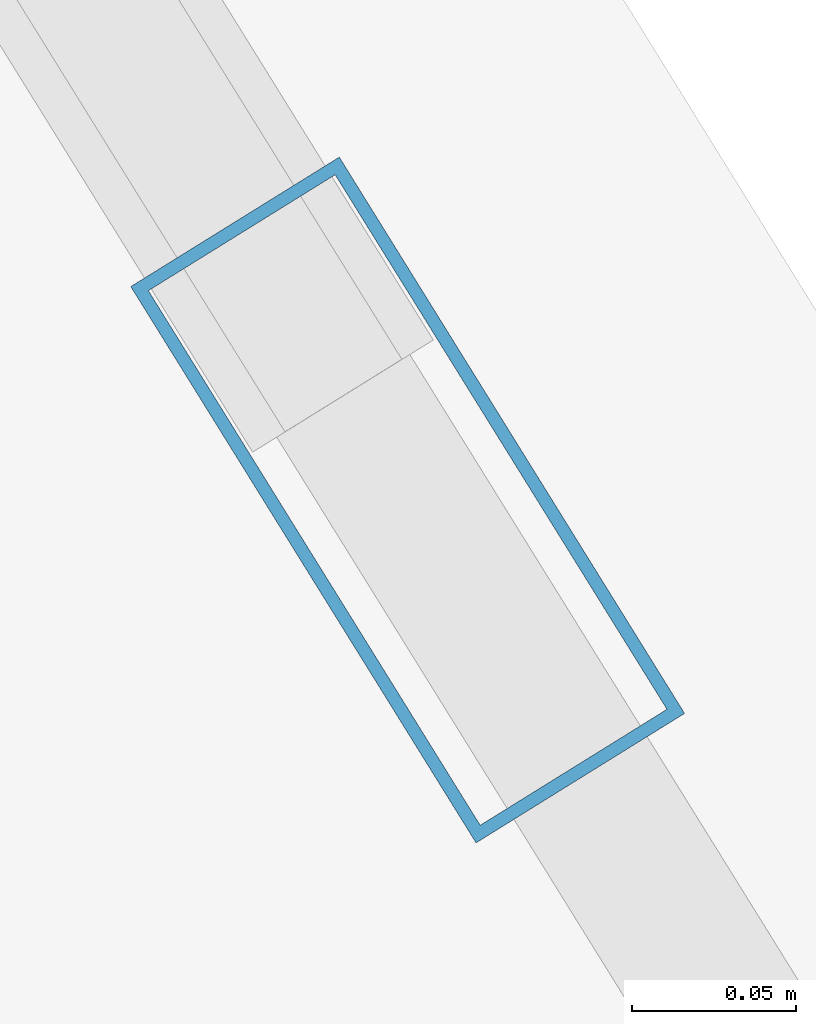
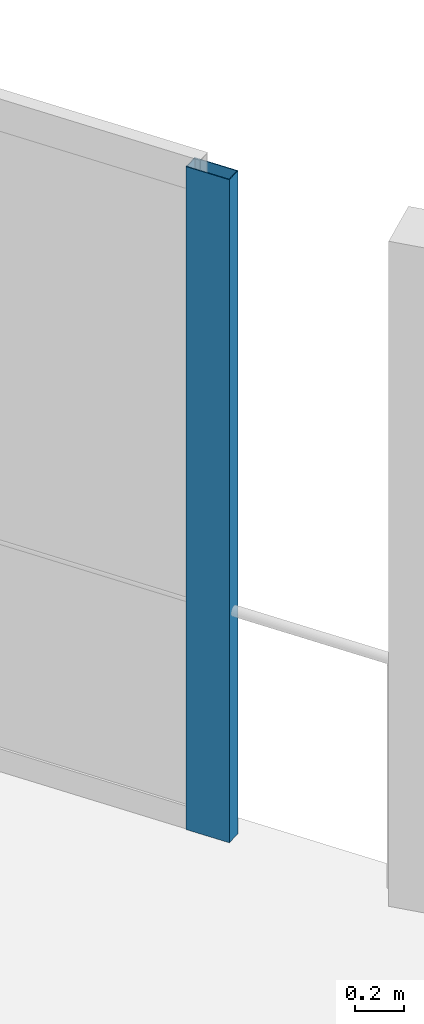
# One storey, part 16 of 25: 1 member, 1 element without a shape of its own.
"""IFC4 building model written with IfcOpenShell, lengths in metres."""

from ifc_helpers import new_model, si_unit, direction, frame, origin, origin_2d, place, context, subcontext, project, spatial, hollow_rectangle, extrude, material, layer, layer_set, material_profile, profile_set, type_object, element, aggregate, save


model = new_model("IFC4")

# Units and contexts
model_context = context("Model", 3, precision=1e-05, world=origin(), true_north=direction((0.0, 1.0)))
body_context = subcontext(model_context, "Body", "Model", "MODEL_VIEW")
ifc_project = project(units=[si_unit("LENGTHUNIT", "METRE"), si_unit("AREAUNIT", "SQUARE_METRE"), si_unit("VOLUMEUNIT", "CUBIC_METRE"), si_unit("PLANEANGLEUNIT", "RADIAN"), si_unit("MASSUNIT", "GRAM", prefix="KILO")], contexts=[model_context])

# Site, building, storey
site_placement = place(None, origin())
site = spatial("IfcSite", under=ifc_project, at=site_placement, CompositionType="ELEMENT")
building_placement = place(site_placement, origin())
building = spatial("IfcBuilding", under=site, at=building_placement, Name="Solvane Sanctuary Tower", CompositionType="ELEMENT")
storey_placement = place(building_placement, frame((0.0, 0.0, 238.800048828125)))
storey = spatial("IfcBuildingStorey", under=building, at=storey_placement, Name="L73", CompositionType="ELEMENT", Elevation=238.800048828125)

# Curtain wall, member
ifc_material = material(Name="Anodised Aluminium 6063-T6", Category="aluminium")
ifc_layer = layer(ifc_material, 0.18994140625, Name="Anodised Aluminium 6063-T6")
ifc_layer_set = layer_set([ifc_layer], Name="Anodised Aluminium 6063-T6")
curtain_wall_type = type_object("IfcCurtainWallType", Name="Curtain Wall CW-OPER", PredefinedType="NOTDEFINED", material=ifc_layer_set)
curtain_wall_placement = place(storey_placement, origin())
curtain_wall = element("IfcCurtainWall", 1, at=curtain_wall_placement, inside=storey, type_object=curtain_wall_type, Name="L73 CW-OPER Facade Run 04", PredefinedType="NOTDEFINED")
ifc_material_profile = material_profile(ifc_material, hollow_rectangle(XDim=0.074951171875, YDim=0.199951171875, WallThickness=0.00390625, at=origin_2d()), Name="ALU200X75X4")
ifc_profile_set = profile_set([ifc_material_profile], Name="Anodised Aluminium 6063-T6")
member_type = type_object("IfcMemberType", Name="Member M-CW-MUL-1 ALU200X75X4", PredefinedType="MULLION", material=ifc_profile_set)
member_placement = place(storey_placement, frame((43.417724609375, 39.398681640625, 0.0), z_axis=(0.0, 0.0, 1.0), x_axis=(-0.849622273102, -0.527391688453, 0.0)))
member = element("IfcMember", 2, at=member_placement, type_object=member_type, Name="CW-OPER mullion 1", PredefinedType="MULLION", context=body_context, shape_type="SweptSolid", body=[
    extrude(hollow_rectangle(XDim=0.074951171875, YDim=0.199951171875, WallThickness=0.00390625, at=origin_2d()), origin(), (0.0, 0.0, 1.0), 3.280029296875),
])
aggregate(curtain_wall, [member])

save(model, "model.ifc")
